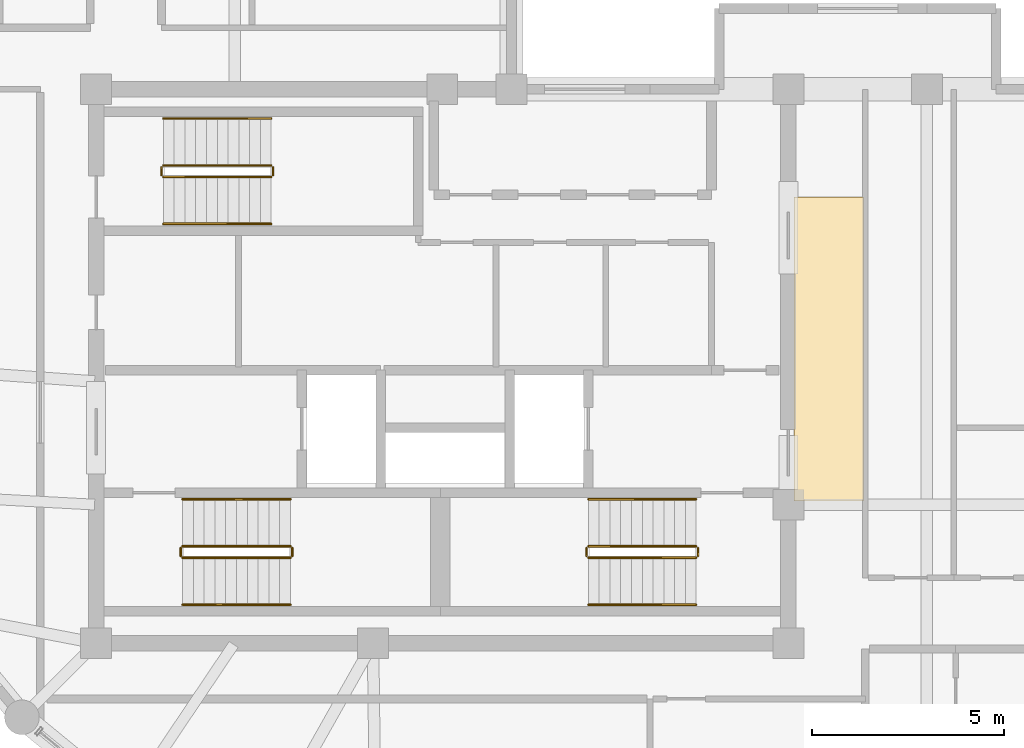
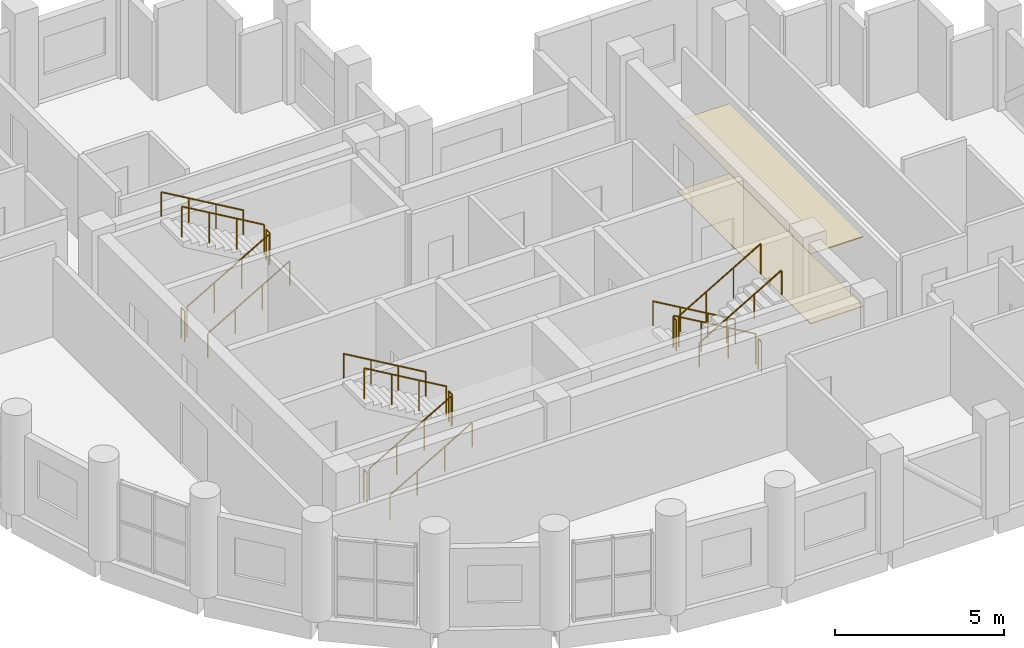
# One storey, part 11 of 11: 18 railings, 2 coverings.
"""IFC4 building model written with IfcOpenShell, lengths in metres."""

from ifc_helpers import new_model, si_unit, direction, frame, origin, origin_2d, place, context, subcontext, project, spatial, polyline, circle, outline, extrude, material, layer, layer_set, type_object, element, save


model = new_model("IFC4")

# Units and contexts
model_context = context("Model", 3, precision=1e-05, world=origin(), true_north=direction((0.0, 1.0)))
body_context = subcontext(model_context, "Body", "Model", "MODEL_VIEW")
ifc_project = project(units=[si_unit("LENGTHUNIT", "METRE"), si_unit("AREAUNIT", "SQUARE_METRE"), si_unit("VOLUMEUNIT", "CUBIC_METRE"), si_unit("PLANEANGLEUNIT", "RADIAN"), si_unit("MASSUNIT", "GRAM", prefix="KILO")], contexts=[model_context])

# Site, building, storey
site_placement = place(None, origin())
site = spatial("IfcSite", under=ifc_project, at=site_placement, CompositionType="ELEMENT")
building_placement = place(site_placement, origin())
building = spatial("IfcBuilding", under=site, at=building_placement, Name="Solnavia Interchange Tower", CompositionType="ELEMENT")
storey_placement = place(building_placement, frame((0.0, 0.0, 284.60009765625)))
storey = spatial("IfcBuildingStorey", under=building, at=storey_placement, Name="L72", CompositionType="ELEMENT", Elevation=284.60009765625)

# Coverings
ifc_material_1 = material(Name="Perforated Mineral-Fibre & Gypsum Ceiling", Category="gypsum")
ifc_layer_1 = layer(ifc_material_1, 0.0400390625)
ifc_layer_set_1 = layer_set([ifc_layer_1], Name="Perforated Mineral-Fibre & Gypsum Ceiling")
covering_type_1 = type_object("IfcCoveringType", Name="Covering-Ceiling-Acoustic40", PredefinedType="CEILING", material=ifc_layer_set_1)
covering_1_placement = place(storey_placement, frame((0.0, 0.0, 2.5)))
element("IfcCovering", 1, at=covering_1_placement, inside=storey, type_object=covering_type_1, Name="CLG-L72-01 Circulation suspended acoustic ceiling", PredefinedType="CEILING", context=body_context, shape_type="SweptSolid", body=[
    extrude(outline(polyline([(32.550048828125, 14.5), (34.35009765625, 14.5), (34.35009765625, 22.39990234375), (32.550048828125, 22.39990234375), (32.550048828125, 14.5)])), origin(), (0.0, 0.0, 1.0), 0.039794921875),
])
ifc_material_2 = material(Name="Engineered European Oak Flooring", Category="wood")
ifc_layer_2 = layer(ifc_material_2, 0.02001953125)
ifc_layer_set_2 = layer_set([ifc_layer_2], Name="Engineered European Oak Flooring")
covering_type_2 = type_object("IfcCoveringType", Name="Covering-Flooring-Timber20", PredefinedType="FLOORING", material=ifc_layer_set_2)
covering_2_placement = place(storey_placement, origin())
element("IfcCovering", 2, at=covering_2_placement, inside=storey, type_object=covering_type_2, Name="FLR-L72-01 Circulation floor finish", PredefinedType="FLOORING", context=body_context, shape_type="SweptSolid", body=[
    extrude(outline(polyline([(32.550048828125, 14.5), (34.35009765625, 14.5), (34.35009765625, 22.39990234375), (32.550048828125, 22.39990234375), (32.550048828125, 14.5)])), origin(), (0.0, 0.0, 1.0), 0.02001953125),
])

# Railings
ifc_material_3 = material(Name="Painted Steel Balustrade", Category="steel")
railing_type_1 = type_object("IfcRailingType", Name="Railing-StairGuard-1100", PredefinedType="GUARDRAIL", material=ifc_material_3)
railing_1_placement = place(storey_placement, frame((16.64990234375, 13.02001953125, 0.16357421875)))
element("IfcRailing", 3, at=railing_1_placement, inside=storey, type_object=railing_type_1, Name="L72 ST-1 stair guard 1", PredefinedType="GUARDRAIL", context=body_context, shape_type="SweptSolid", body=[
    extrude(circle(Radius=0.02392578125, at=origin_2d()), frame((0.0, 0.0, 1.09619140625), z_axis=(0.863393664356, 0.0, 0.504530851732), x_axis=(0.0, 1.0, 0.0)), (0.0, 0.0, 1.0), 3.2431640625),
    extrude(circle(Radius=0.02099609375, at=origin_2d()), origin(), (0.0, 0.0, 1.0), 1.072021484375),
    extrude(circle(Radius=0.02099609375, at=origin_2d()), frame((0.933349609375, 0.0, 0.54541015625)), (0.0, 0.0, 1.0), 1.072021484375),
    extrude(circle(Radius=0.02099609375, at=origin_2d()), frame((1.86669921875, 0.0, 1.0908203125)), (0.0, 0.0, 1.0), 1.072021484375),
    extrude(circle(Radius=0.02099609375, at=origin_2d()), frame((2.800048828125, 0.0, 1.63623046875)), (0.0, 0.0, 1.0), 1.072021484375),
])
railing_2_placement = place(storey_placement, frame((19.5, 13.070068359375, 1.7998046875)))
element("IfcRailing", 4, at=railing_2_placement, inside=storey, type_object=railing_type_1, Name="L72 ST-1 stair guard 2", PredefinedType="GUARDRAIL", context=body_context, shape_type="SweptSolid", body=[
    extrude(circle(Radius=0.02392578125, at=origin_2d()), frame((0.0, 0.0, 1.09619140625), z_axis=(0.0, 1.0, 0.0), x_axis=(-1.0, 0.0, 0.0)), (0.0, 0.0, 1.0), 0.199951171875),
    extrude(circle(Radius=0.02099609375, at=origin_2d()), origin(), (0.0, 0.0, 1.0), 1.072021484375),
    extrude(circle(Radius=0.02099609375, at=origin_2d()), frame((0.0, 0.199951171875, 0.0)), (0.0, 0.0, 1.0), 1.072021484375),
])
railing_3_placement = place(storey_placement, frame((19.449951171875, 13.320068359375, 1.963623046875)))
element("IfcRailing", 5, at=railing_3_placement, inside=storey, type_object=railing_type_1, Name="L72 ST-1 stair guard 3", PredefinedType="GUARDRAIL", context=body_context, shape_type="SweptSolid", body=[
    extrude(circle(Radius=0.02392578125, at=origin_2d()), frame((0.0, 0.0, 1.09619140625), z_axis=(-0.863393664356, 0.0, 0.504530851732), x_axis=(0.0, -1.0, 0.0)), (0.0, 0.0, 1.0), 3.2431640625),
    extrude(circle(Radius=0.02099609375, at=origin_2d()), origin(), (0.0, 0.0, 1.0), 1.072021484375),
    extrude(circle(Radius=0.02099609375, at=origin_2d()), frame((-0.933349609375, 0.0, 0.54541015625)), (0.0, 0.0, 1.0), 1.072021484375),
    extrude(circle(Radius=0.02099609375, at=origin_2d()), frame((-1.86669921875, 0.0, 1.0908203125)), (0.0, 0.0, 1.0), 1.072021484375),
    extrude(circle(Radius=0.02099609375, at=origin_2d()), frame((-2.800048828125, 0.0, 1.63623046875)), (0.0, 0.0, 1.0), 1.072021484375),
])
railing_4_placement = place(storey_placement, frame((16.60009765625, 13.070068359375, 0.0)))
element("IfcRailing", 6, at=railing_4_placement, inside=storey, type_object=railing_type_1, Name="L72 ST-1 stair guard 4", PredefinedType="GUARDRAIL", context=body_context, shape_type="SweptSolid", body=[
    extrude(circle(Radius=0.02392578125, at=origin_2d()), frame((0.0, 0.0, 1.09619140625), z_axis=(0.0, 1.0, 0.0), x_axis=(-1.0, 0.0, 0.0)), (0.0, 0.0, 1.0), 0.199951171875),
    extrude(circle(Radius=0.02099609375, at=origin_2d()), origin(), (0.0, 0.0, 1.0), 1.072021484375),
    extrude(circle(Radius=0.02099609375, at=origin_2d()), frame((0.0, 0.199951171875, 0.0)), (0.0, 0.0, 1.0), 1.072021484375),
])
railing_5_placement = place(storey_placement, frame((30.0, 13.320068359375, 0.16357421875)))
element("IfcRailing", 7, at=railing_5_placement, inside=storey, type_object=railing_type_1, Name="L72 ST-2 stair guard 1", PredefinedType="GUARDRAIL", context=body_context, shape_type="SweptSolid", body=[
    extrude(circle(Radius=0.02392578125, at=origin_2d()), frame((0.0, 0.0, 1.09619140625), z_axis=(-0.863393664356, 0.0, 0.504530851732), x_axis=(0.0, -1.0, 0.0)), (0.0, 0.0, 1.0), 3.2431640625),
    extrude(circle(Radius=0.02099609375, at=origin_2d()), origin(), (0.0, 0.0, 1.0), 1.072021484375),
    extrude(circle(Radius=0.02099609375, at=origin_2d()), frame((-0.933349609375, 0.0, 0.54541015625)), (0.0, 0.0, 1.0), 1.072021484375),
    extrude(circle(Radius=0.02099609375, at=origin_2d()), frame((-1.86669921875, 0.0, 1.0908203125)), (0.0, 0.0, 1.0), 1.072021484375),
    extrude(circle(Radius=0.02099609375, at=origin_2d()), frame((-2.800048828125, 0.0, 1.63623046875)), (0.0, 0.0, 1.0), 1.072021484375),
])
railing_6_placement = place(storey_placement, frame((27.14990234375, 13.27001953125, 1.7998046875)))
element("IfcRailing", 8, at=railing_6_placement, inside=storey, type_object=railing_type_1, Name="L72 ST-2 stair guard 2", PredefinedType="GUARDRAIL", context=body_context, shape_type="SweptSolid", body=[
    extrude(circle(Radius=0.02392578125, at=origin_2d()), frame((0.0, 0.0, 1.09619140625), z_axis=(0.0, -1.0, 0.0), x_axis=(1.0, 0.0, 0.0)), (0.0, 0.0, 1.0), 0.199951171875),
    extrude(circle(Radius=0.02099609375, at=origin_2d()), origin(), (0.0, 0.0, 1.0), 1.072021484375),
    extrude(circle(Radius=0.02099609375, at=origin_2d()), frame((0.0, -0.199951171875, 0.0)), (0.0, 0.0, 1.0), 1.072021484375),
])
railing_7_placement = place(storey_placement, frame((27.199951171875, 13.02001953125, 1.963623046875)))
element("IfcRailing", 9, at=railing_7_placement, inside=storey, type_object=railing_type_1, Name="L72 ST-2 stair guard 3", PredefinedType="GUARDRAIL", context=body_context, shape_type="SweptSolid", body=[
    extrude(circle(Radius=0.02392578125, at=origin_2d()), frame((0.0, 0.0, 1.09619140625), z_axis=(0.863393664356, 0.0, 0.504530851732), x_axis=(0.0, 1.0, 0.0)), (0.0, 0.0, 1.0), 3.2431640625),
    extrude(circle(Radius=0.02099609375, at=origin_2d()), origin(), (0.0, 0.0, 1.0), 1.072021484375),
    extrude(circle(Radius=0.02099609375, at=origin_2d()), frame((0.933349609375, 0.0, 0.54541015625)), (0.0, 0.0, 1.0), 1.072021484375),
    extrude(circle(Radius=0.02099609375, at=origin_2d()), frame((1.86669921875, 0.0, 1.0908203125)), (0.0, 0.0, 1.0), 1.072021484375),
    extrude(circle(Radius=0.02099609375, at=origin_2d()), frame((2.800048828125, 0.0, 1.63623046875)), (0.0, 0.0, 1.0), 1.072021484375),
])
railing_8_placement = place(storey_placement, frame((30.050048828125, 13.27001953125, 0.0)))
element("IfcRailing", 10, at=railing_8_placement, inside=storey, type_object=railing_type_1, Name="L72 ST-2 stair guard 4", PredefinedType="GUARDRAIL", context=body_context, shape_type="SweptSolid", body=[
    extrude(circle(Radius=0.02392578125, at=origin_2d()), frame((0.0, 0.0, 1.09619140625), z_axis=(0.0, -1.0, 0.0), x_axis=(1.0, 0.0, 0.0)), (0.0, 0.0, 1.0), 0.199951171875),
    extrude(circle(Radius=0.02099609375, at=origin_2d()), origin(), (0.0, 0.0, 1.0), 1.072021484375),
    extrude(circle(Radius=0.02099609375, at=origin_2d()), frame((0.0, -0.199951171875, 0.0)), (0.0, 0.0, 1.0), 1.072021484375),
])
railing_9_placement = place(storey_placement, frame((16.14990234375, 22.919921875, 0.16357421875)))
element("IfcRailing", 11, at=railing_9_placement, inside=storey, type_object=railing_type_1, Name="L72 ST-3 stair guard 1", PredefinedType="GUARDRAIL", context=body_context, shape_type="SweptSolid", body=[
    extrude(circle(Radius=0.02392578125, at=origin_2d()), frame((0.0, 0.0, 1.09619140625), z_axis=(0.863393664356, 0.0, 0.504530851732), x_axis=(0.0, 1.0, 0.0)), (0.0, 0.0, 1.0), 3.2431640625),
    extrude(circle(Radius=0.02099609375, at=origin_2d()), origin(), (0.0, 0.0, 1.0), 1.072021484375),
    extrude(circle(Radius=0.02099609375, at=origin_2d()), frame((0.933349609375, 0.0, 0.54541015625)), (0.0, 0.0, 1.0), 1.072021484375),
    extrude(circle(Radius=0.02099609375, at=origin_2d()), frame((1.86669921875, 0.0, 1.0908203125)), (0.0, 0.0, 1.0), 1.072021484375),
    extrude(circle(Radius=0.02099609375, at=origin_2d()), frame((2.800048828125, 0.0, 1.63623046875)), (0.0, 0.0, 1.0), 1.072021484375),
])
railing_10_placement = place(storey_placement, frame((19.0, 22.969970703125, 1.7998046875)))
element("IfcRailing", 12, at=railing_10_placement, inside=storey, type_object=railing_type_1, Name="L72 ST-3 stair guard 2", PredefinedType="GUARDRAIL", context=body_context, shape_type="SweptSolid", body=[
    extrude(circle(Radius=0.02392578125, at=origin_2d()), frame((0.0, 0.0, 1.09619140625), z_axis=(0.0, 1.0, 0.0), x_axis=(-1.0, 0.0, 0.0)), (0.0, 0.0, 1.0), 0.199951171875),
    extrude(circle(Radius=0.02099609375, at=origin_2d()), origin(), (0.0, 0.0, 1.0), 1.072021484375),
    extrude(circle(Radius=0.02099609375, at=origin_2d()), frame((0.0, 0.199951171875, 0.0)), (0.0, 0.0, 1.0), 1.072021484375),
])
railing_11_placement = place(storey_placement, frame((18.949951171875, 23.219970703125, 1.963623046875)))
element("IfcRailing", 13, at=railing_11_placement, inside=storey, type_object=railing_type_1, Name="L72 ST-3 stair guard 3", PredefinedType="GUARDRAIL", context=body_context, shape_type="SweptSolid", body=[
    extrude(circle(Radius=0.02392578125, at=origin_2d()), frame((0.0, 0.0, 1.09619140625), z_axis=(-0.863393664356, 0.0, 0.504530851732), x_axis=(0.0, -1.0, 0.0)), (0.0, 0.0, 1.0), 3.2431640625),
    extrude(circle(Radius=0.02099609375, at=origin_2d()), origin(), (0.0, 0.0, 1.0), 1.072021484375),
    extrude(circle(Radius=0.02099609375, at=origin_2d()), frame((-0.933349609375, 0.0, 0.54541015625)), (0.0, 0.0, 1.0), 1.072021484375),
    extrude(circle(Radius=0.02099609375, at=origin_2d()), frame((-1.86669921875, 0.0, 1.0908203125)), (0.0, 0.0, 1.0), 1.072021484375),
    extrude(circle(Radius=0.02099609375, at=origin_2d()), frame((-2.800048828125, 0.0, 1.63623046875)), (0.0, 0.0, 1.0), 1.072021484375),
])
railing_12_placement = place(storey_placement, frame((16.10009765625, 22.969970703125, 0.0)))
element("IfcRailing", 14, at=railing_12_placement, inside=storey, type_object=railing_type_1, Name="L72 ST-3 stair guard 4", PredefinedType="GUARDRAIL", context=body_context, shape_type="SweptSolid", body=[
    extrude(circle(Radius=0.02392578125, at=origin_2d()), frame((0.0, 0.0, 1.09619140625), z_axis=(0.0, 1.0, 0.0), x_axis=(-1.0, 0.0, 0.0)), (0.0, 0.0, 1.0), 0.199951171875),
    extrude(circle(Radius=0.02099609375, at=origin_2d()), origin(), (0.0, 0.0, 1.0), 1.072021484375),
    extrude(circle(Radius=0.02099609375, at=origin_2d()), frame((0.0, 0.199951171875, 0.0)), (0.0, 0.0, 1.0), 1.072021484375),
])
ifc_material_4 = material(Name="Brushed Stainless Steel", Category="steel")
railing_type_2 = type_object("IfcRailingType", Name="Railing-StairHandrail-900", PredefinedType="HANDRAIL", material=ifc_material_4)
railing_13_placement = place(storey_placement, frame((16.64990234375, 11.800048828125, 0.16357421875)))
element("IfcRailing", 15, at=railing_13_placement, inside=storey, type_object=railing_type_2, Name="L72 ST-1 stair handrail 1", PredefinedType="HANDRAIL", context=body_context, shape_type="SweptSolid", body=[
    extrude(circle(Radius=0.02392578125, at=origin_2d()), frame((0.0, 0.0, 0.8759765625), z_axis=(0.863393664356, 0.0, 0.504530851732), x_axis=(0.0, 1.0, 0.0)), (0.0, 0.0, 1.0), 3.2431640625),
    extrude(circle(Radius=0.02099609375, at=origin_2d()), origin(), (0.0, 0.0, 1.0), 0.851806640625),
    extrude(circle(Radius=0.02099609375, at=origin_2d()), frame((0.933349609375, 0.0, 0.54541015625)), (0.0, 0.0, 1.0), 0.851806640625),
    extrude(circle(Radius=0.02099609375, at=origin_2d()), frame((1.86669921875, 0.0, 1.0908203125)), (0.0, 0.0, 1.0), 0.851806640625),
    extrude(circle(Radius=0.02099609375, at=origin_2d()), frame((2.800048828125, 0.0, 1.63623046875)), (0.0, 0.0, 1.0), 0.851806640625),
])
for number, where, name in (
    (16, (19.449951171875, 14.5400390625, 1.963623046875), "L72 ST-1 stair handrail 2"),
    (17, (30.0, 14.5400390625, 0.16357421875), "L72 ST-2 stair handrail 1"),
):
    element("IfcRailing", number, at=place(storey_placement, frame(where)), inside=storey, type_object=railing_type_2, Name=name, PredefinedType="HANDRAIL", context=body_context, shape_type="SweptSolid", body=[
        extrude(circle(Radius=0.02392578125, at=origin_2d()), frame((0.0, 0.0, 0.8759765625), z_axis=(-0.863393664356, 0.0, 0.504530851732), x_axis=(0.0, -1.0, 0.0)), (0.0, 0.0, 1.0), 3.2431640625),
        extrude(circle(Radius=0.02099609375, at=origin_2d()), origin(), (0.0, 0.0, 1.0), 0.851806640625),
        extrude(circle(Radius=0.02099609375, at=origin_2d()), frame((-0.933349609375, 0.0, 0.54541015625)), (0.0, 0.0, 1.0), 0.851806640625),
        extrude(circle(Radius=0.02099609375, at=origin_2d()), frame((-1.86669921875, 0.0, 1.0908203125)), (0.0, 0.0, 1.0), 0.851806640625),
        extrude(circle(Radius=0.02099609375, at=origin_2d()), frame((-2.800048828125, 0.0, 1.63623046875)), (0.0, 0.0, 1.0), 0.851806640625),
    ])
for number, where, name in (
    (18, (27.199951171875, 11.800048828125, 1.963623046875), "L72 ST-2 stair handrail 2"),
    (19, (16.14990234375, 21.699951171875, 0.16357421875), "L72 ST-3 stair handrail 1"),
):
    element("IfcRailing", number, at=place(storey_placement, frame(where)), inside=storey, type_object=railing_type_2, Name=name, PredefinedType="HANDRAIL", context=body_context, shape_type="SweptSolid", body=[
        extrude(circle(Radius=0.02392578125, at=origin_2d()), frame((0.0, 0.0, 0.8759765625), z_axis=(0.863393664356, 0.0, 0.504530851732), x_axis=(0.0, 1.0, 0.0)), (0.0, 0.0, 1.0), 3.2431640625),
        extrude(circle(Radius=0.02099609375, at=origin_2d()), origin(), (0.0, 0.0, 1.0), 0.851806640625),
        extrude(circle(Radius=0.02099609375, at=origin_2d()), frame((0.933349609375, 0.0, 0.54541015625)), (0.0, 0.0, 1.0), 0.851806640625),
        extrude(circle(Radius=0.02099609375, at=origin_2d()), frame((1.86669921875, 0.0, 1.0908203125)), (0.0, 0.0, 1.0), 0.851806640625),
        extrude(circle(Radius=0.02099609375, at=origin_2d()), frame((2.800048828125, 0.0, 1.63623046875)), (0.0, 0.0, 1.0), 0.851806640625),
    ])
railing_14_placement = place(storey_placement, frame((18.949951171875, 24.43994140625, 1.963623046875)))
element("IfcRailing", 20, at=railing_14_placement, inside=storey, type_object=railing_type_2, Name="L72 ST-3 stair handrail 2", PredefinedType="HANDRAIL", context=body_context, shape_type="SweptSolid", body=[
    extrude(circle(Radius=0.02392578125, at=origin_2d()), frame((0.0, 0.0, 0.8759765625), z_axis=(-0.863393664356, 0.0, 0.504530851732), x_axis=(0.0, -1.0, 0.0)), (0.0, 0.0, 1.0), 3.2431640625),
    extrude(circle(Radius=0.02099609375, at=origin_2d()), origin(), (0.0, 0.0, 1.0), 0.851806640625),
    extrude(circle(Radius=0.02099609375, at=origin_2d()), frame((-0.933349609375, 0.0, 0.54541015625)), (0.0, 0.0, 1.0), 0.851806640625),
    extrude(circle(Radius=0.02099609375, at=origin_2d()), frame((-1.86669921875, 0.0, 1.0908203125)), (0.0, 0.0, 1.0), 0.851806640625),
    extrude(circle(Radius=0.02099609375, at=origin_2d()), frame((-2.800048828125, 0.0, 1.63623046875)), (0.0, 0.0, 1.0), 0.851806640625),
])

save(model, "model.ifc")
